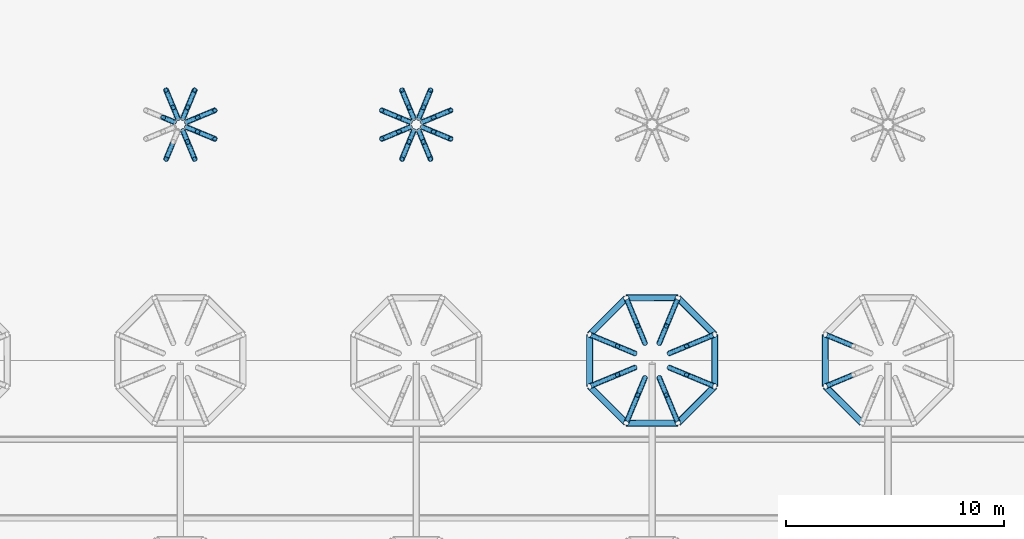
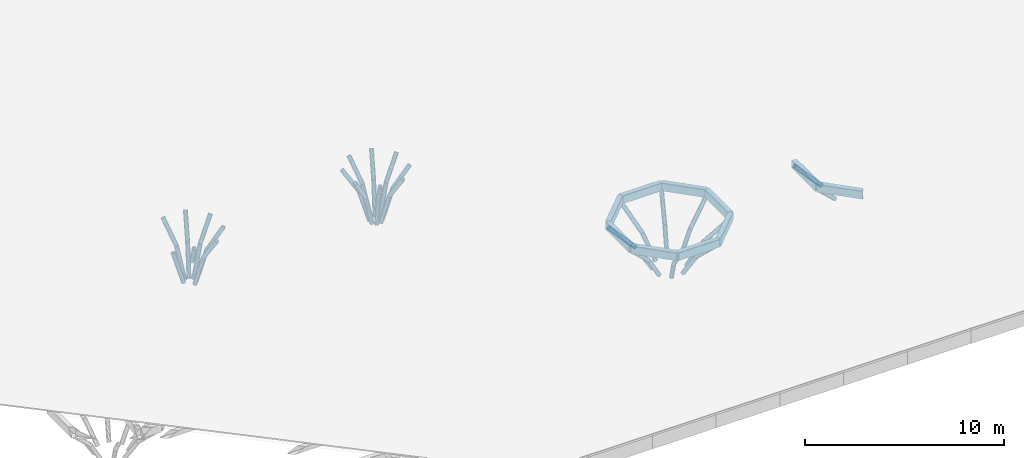
# One storey, part 10 of 56: 46 members, 10 beams.
"""IFC4 building model written with IfcOpenShell, lengths in metres."""

import ifcopenshell
import ifcopenshell.guid

model = None  # the IFC model being written
_history = None  # IfcOwnerHistory: only IFC2X3 demands one
_inside = {}  # id of a spatial element -> (the spatial element, [elements in it])
_under = {}  # id of a project, library or spatial element -> (it, [spatial elements below it])
_declared = {}  # id of a project -> (the project, [libraries it declares])
_typed = {}  # id of a type object -> (the type object, [elements of that type])
_made_of = {}  # id of a material, layer set ... -> (it, [elements and type objects made of it])


def new_model(schema):
    """Start an empty IFC model of exactly this schema.

    Asked for "IFC4X3", IfcOpenShell would pick the latest addendum, in which some entities
    have other attributes; the version numbers below select the first issue.
    IFC2X3 requires an IfcOwnerHistory on every rooted entity: one is made here for all.
    """
    global model, _history
    if schema == "IFC4X3":
        model = ifcopenshell.file(schema_version=(4, 3, 0, 0))
    else:
        model = ifcopenshell.file(schema=schema)
    _inside.clear()
    _under.clear()
    _declared.clear()
    _typed.clear()
    _made_of.clear()
    _history = None
    if model.schema == "IFC2X3":
        org = make("IfcOrganization", Name="unknown")
        user = make(
            "IfcPersonAndOrganization",
            ThePerson=make("IfcPerson", FamilyName="unknown"),
            TheOrganization=org,
        )
        app = make(
            "IfcApplication",
            ApplicationDeveloper=org,
            Version="unknown",
            ApplicationFullName="unknown",
            ApplicationIdentifier="unknown",
        )
        _history = make(
            "IfcOwnerHistory",
            OwningUser=user,
            OwningApplication=app,
            ChangeAction="ADDED",
            CreationDate=0,
        )
    return model


def make(cls, **values):
    """One entity of the class cls with the attributes given. An attribute that is None is left unset."""
    return model.create_entity(
        cls, **{name: value for name, value in values.items() if value is not None}
    )


def rooted(cls, **values):
    """An entity with a GlobalId (a new one), such as an element, a storey or a relation."""
    return make(cls, GlobalId=ifcopenshell.guid.new(), OwnerHistory=_history, **values)


def si_unit(unit_type, name, prefix=None):
    """IfcSIUnit, for example si_unit("LENGTHUNIT", "METRE", prefix="MILLI")."""
    return make("IfcSIUnit", UnitType=unit_type, Prefix=prefix, Name=name)


def assignment(units):
    """IfcUnitAssignment: the units of a project."""
    return None if units is None else make("IfcUnitAssignment", Units=units)


def point(xyz):
    """IfcCartesianPoint."""
    return None if xyz is None else make("IfcCartesianPoint", Coordinates=xyz)


def direction(xyz):
    """IfcDirection."""
    return None if xyz is None else make("IfcDirection", DirectionRatios=xyz)


def frame(location, z_axis=None, x_axis=None):
    """IfcAxis2Placement3D, a coordinate frame: its origin and axes. An axis left out is left unset."""
    return make(
        "IfcAxis2Placement3D",
        Location=point(location),
        Axis=direction(z_axis),
        RefDirection=direction(x_axis),
    )


def frame_2d(location, x_axis=None):
    """IfcAxis2Placement2D, a coordinate frame in the plane: its origin and x axis."""
    return make(
        "IfcAxis2Placement2D", Location=point(location), RefDirection=direction(x_axis)
    )


def origin():
    """The frame at (0, 0, 0) with its axes left unset."""
    return frame((0.0, 0.0, 0.0))


def origin_2d():
    """The frame at (0, 0) in the plane with its x axis left unset."""
    return frame_2d((0.0, 0.0))


def place(relative_to, where):
    """IfcLocalPlacement: puts the frame where relative to a parent placement (None: the world)."""
    return make(
        "IfcLocalPlacement", PlacementRelTo=relative_to, RelativePlacement=where
    )


def context(
    kind, dimensions, precision=None, world=None, true_north=None, identifier=None
):
    """IfcGeometricRepresentationContext, for example the 3D "Model" context."""
    return make(
        "IfcGeometricRepresentationContext",
        ContextIdentifier=identifier,
        ContextType=kind,
        CoordinateSpaceDimension=dimensions,
        Precision=precision,
        WorldCoordinateSystem=world,
        TrueNorth=true_north,
    )


def subcontext(parent, identifier, kind, view, scale=None):
    """IfcGeometricRepresentationSubContext, for example "Body" below "Model"."""
    return make(
        "IfcGeometricRepresentationSubContext",
        ContextIdentifier=identifier,
        ContextType=kind,
        ParentContext=parent,
        TargetScale=scale,
        TargetView=view,
    )


def project(units=None, contexts=None):
    """IfcProject with its units and contexts."""
    return rooted(
        "IfcProject",
        Name="project",
        RepresentationContexts=contexts,
        UnitsInContext=assignment(units),
    )


def spatial(cls, under=None, at=None, **own):
    """A site, building, storey or space (cls), placed at a placement, below another one or the project."""
    s = rooted(cls, ObjectPlacement=at, **own)
    if under is not None:
        _under.setdefault(under.id(), (under, []))[1].append(s)
    return s


def profile(cls, at=None, kind="AREA", **sizes):
    """A parametric profile (cls). Its sizes go by their IFC names, for example OverallWidth=200.0."""
    return make(cls, ProfileType=kind, Position=at, **sizes)


def hollow_rectangle(**sizes):
    """IfcRectangleHollowProfileDef."""
    return profile("IfcRectangleHollowProfileDef", **sizes)


def hollow_circle(**sizes):
    """IfcCircleHollowProfileDef."""
    return profile("IfcCircleHollowProfileDef", **sizes)


def extrude(swept, where, along, depth):
    """IfcExtrudedAreaSolid: the profile swept, set in the frame where, extruded along a direction by depth."""
    return make(
        "IfcExtrudedAreaSolid",
        SweptArea=swept,
        Position=where,
        ExtrudedDirection=direction(along),
        Depth=depth,
    )


def clip(a, b, op="DIFFERENCE"):
    """IfcBooleanClippingResult: the solid a cut by the half space b."""
    return make(
        "IfcBooleanClippingResult", Operator=op, FirstOperand=a, SecondOperand=b
    )


def halfspace(plane, agree):
    """IfcHalfSpaceSolid: all space on one side of the plane z = 0 of the frame plane."""
    return make(
        "IfcHalfSpaceSolid",
        BaseSurface=make("IfcPlane", Position=plane),
        AgreementFlag=agree,
    )


def shape(context_of_items, identifier, shape_type, items):
    """IfcShapeRepresentation: the items that make up one representation, for example the "Body"."""
    return make(
        "IfcShapeRepresentation",
        ContextOfItems=context_of_items,
        RepresentationIdentifier=identifier,
        RepresentationType=shape_type,
        Items=items,
    )


def material(Name=None, Category=None):
    """IfcMaterial."""
    return make("IfcMaterial", Name=Name, Category=Category)


def material_profile(
    of_material, cross_section, Name=None, Category=None, Priority=None
):
    """IfcMaterialProfile: a cross section and its material."""
    return make(
        "IfcMaterialProfile",
        Name=Name,
        Material=of_material,
        Profile=cross_section,
        Priority=Priority,
        Category=Category,
    )


def profile_set(profiles, Name=None, composite=None):
    """IfcMaterialProfileSet."""
    return make(
        "IfcMaterialProfileSet",
        Name=Name,
        MaterialProfiles=profiles,
        CompositeProfile=composite,
    )


def made_of(thing, what):
    """Note that an element or type object is made of a material, layer set ...; save() writes the relation."""
    if what is not None:
        _made_of.setdefault(what.id(), (what, []))[1].append(thing)
    return thing


def type_object(cls, material=None, **own):
    """A type object (cls), such as IfcWallType, which elements share."""
    return made_of(rooted(cls, **own), material)


def element(
    cls,
    number,
    at=None,
    inside=None,
    cuts=None,
    type_object=None,
    material=None,
    context=None,
    identifier="Body",
    shape_type=None,
    held_by="IfcProductDefinitionShape",
    body=None,
    shapes=None,
    **own,
):
    """One element of the class cls, such as IfcWall. Its Tag is "e" and its number.

    at: its placement. inside: the storey or other place that contains it. cuts: it is an
    opening in that element (IfcRelVoidsElement). A single representation is given by context,
    identifier, shape_type and body (its items); several are given by shapes. held_by: the class
    of the entity that holds the representations. save() writes the other relations.
    """
    e = rooted(cls, Tag="e%d" % number, ObjectPlacement=at, **own)
    if body is not None:
        shapes = [shape(context, identifier, shape_type, body)]
    if shapes is not None:
        e.Representation = make(held_by, Representations=shapes)
    if inside is not None:
        _inside.setdefault(inside.id(), (inside, []))[1].append(e)
    if cuts is not None:
        rooted(
            "IfcRelVoidsElement", RelatingBuildingElement=cuts, RelatedOpeningElement=e
        )
    if type_object is not None:
        _typed.setdefault(type_object.id(), (type_object, []))[1].append(e)
    return made_of(e, material)


def aggregate(whole, parts):
    """IfcRelAggregates: a whole, such as a stair, and the parts it consists of."""
    return rooted("IfcRelAggregates", RelatingObject=whole, RelatedObjects=parts)


def save(model, path):
    """Write the relations noted so far, then the file.

    IfcRelAggregates (storeys below a building ...), IfcRelContainedInSpatialStructure (elements
    in a storey), IfcRelDefinesByType, IfcRelAssociatesMaterial and IfcRelDeclares: one each for
    every whole, place, type object, material and project.
    """
    for whole, parts in _under.values():
        aggregate(whole, parts)
    for where, things in _inside.values():
        rooted(
            "IfcRelContainedInSpatialStructure",
            RelatedElements=things,
            RelatingStructure=where,
        )
    for kind, things in _typed.values():
        rooted("IfcRelDefinesByType", RelatedObjects=things, RelatingType=kind)
    for what, things in _made_of.values():
        rooted("IfcRelAssociatesMaterial", RelatedObjects=things, RelatingMaterial=what)
    for by, libraries in _declared.values():
        rooted("IfcRelDeclares", RelatingContext=by, RelatedDefinitions=libraries)
    model.write(path)


model = new_model("IFC4")

# Units and contexts
model_context = context("Model", 3, precision=1e-05, world=origin(), true_north=direction((0.0, 1.0)))
body_context = subcontext(model_context, "Body", "Model", "MODEL_VIEW")
ifc_project = project(units=[si_unit("LENGTHUNIT", "METRE"), si_unit("AREAUNIT", "SQUARE_METRE"), si_unit("VOLUMEUNIT", "CUBIC_METRE"), si_unit("PLANEANGLEUNIT", "RADIAN"), si_unit("MASSUNIT", "GRAM", prefix="KILO")], contexts=[model_context])

# Site, building, storey
site_placement = place(None, origin())
site = spatial("IfcSite", under=ifc_project, at=site_placement, CompositionType="ELEMENT")
building_placement = place(site_placement, origin())
building = spatial("IfcBuilding", under=site, at=building_placement, Name="Magnolia Steps Interchange", CompositionType="ELEMENT")
storey_placement = place(building_placement, frame((0.0, 0.0, 8.699951171875)))
storey = spatial("IfcBuildingStorey", under=building, at=storey_placement, Name="L02", CompositionType="ELEMENT", Elevation=8.699951171875)

# Beams
ifc_material_1 = material(Name="Steel Q355B", Category="steel")
ifc_material_profile_1 = material_profile(ifc_material_1, hollow_rectangle(XDim=0.300048828125, YDim=0.5, WallThickness=0.01611328125, InnerFilletRadius=0.01611328125, OuterFilletRadius=0.031982421875, at=origin_2d()), Name="RHS500x300x16")
ifc_profile_set_1 = profile_set([ifc_material_profile_1], Name="Steel Q355B")
beam_type = type_object("IfcBeamType", Name="Ring beam RHS500x300x16", PredefinedType="BEAM", material=ifc_profile_set_1)
beam_1_placement = place(storey_placement, frame((99.263916015625, 54.38623046875, 3.424560546875), z_axis=(-0.707106781187, 0.707106781187, 0.0), x_axis=(-0.707106781187, -0.707106781187, 0.0)))
element("IfcBeam", 1, at=beam_1_placement, inside=storey, type_object=beam_type, Name="Ring beam TH05B", PredefinedType="BEAM", context=body_context, shape_type="Clipping", body=[
    clip(clip(extrude(hollow_rectangle(XDim=0.300048828125, YDim=0.5, WallThickness=0.01611328125, InnerFilletRadius=0.01611328125, OuterFilletRadius=0.031982421875, at=origin_2d()), origin(), (0.0, 0.0, 1.0), 2.37255859375), halfspace(frame((0.0, 0.0, 0.0), z_axis=(0.382683433, 0.0, -0.923879532), x_axis=(0.923879532, 0.0, 0.382683433)), False)), halfspace(frame((0.0, 0.0, 2.372674707), z_axis=(0.382683433, 0.0, 0.923879532), x_axis=(0.923879532, 0.0, -0.382683433)), False)),
])
beam_2_placement = place(storey_placement, frame((97.586181640625, 56.06396484375, 3.424560546875), z_axis=(-1.0, 0.0, 0.0), x_axis=(0.0, -1.0, 0.0)))
element("IfcBeam", 2, at=beam_2_placement, inside=storey, type_object=beam_type, Name="Ring beam TH05B", PredefinedType="BEAM", context=body_context, shape_type="Clipping", body=[
    clip(clip(extrude(hollow_rectangle(XDim=0.300048828125, YDim=0.5, WallThickness=0.01611328125, InnerFilletRadius=0.01611328125, OuterFilletRadius=0.031982421875, at=origin_2d()), origin(), (0.0, 0.0, 1.0), 2.37255859375), halfspace(frame((0.0, 0.0, 0.0), z_axis=(0.382683432, 0.0, -0.923879533), x_axis=(0.923879533, 0.0, 0.382683432)), False)), halfspace(frame((0.0, 0.0, 2.372558594), z_axis=(0.382683432, 0.0, 0.923879533), x_axis=(0.923879533, 0.0, -0.382683432)), False)),
])
beam_3_placement = place(storey_placement, frame((95.213623046875, 56.06396484375, 3.424560546875), z_axis=(-0.707106781187, -0.707106781187, 0.0), x_axis=(0.707106781187, -0.707106781187, 0.0)))
element("IfcBeam", 3, at=beam_3_placement, inside=storey, type_object=beam_type, Name="Ring beam TH05B", PredefinedType="BEAM", context=body_context, shape_type="Clipping", body=[
    clip(clip(extrude(hollow_rectangle(XDim=0.300048828125, YDim=0.5, WallThickness=0.01611328125, InnerFilletRadius=0.01611328125, OuterFilletRadius=0.031982421875, at=origin_2d()), origin(), (0.0, 0.0, 1.0), 2.37255859375), halfspace(frame((0.0, 0.0, 0.0), z_axis=(0.382683433, 0.0, -0.923879532), x_axis=(0.923879532, 0.0, 0.382683433)), False)), halfspace(frame((0.0, 0.0, 2.372674707), z_axis=(0.382683433, 0.0, 0.923879532), x_axis=(0.923879532, 0.0, -0.382683433)), False)),
])
beam_4_placement = place(storey_placement, frame((93.535888671875, 54.38623046875, 3.424560546875), z_axis=(0.0, -1.0, 0.0), x_axis=(1.0, 0.0, 0.0)))
element("IfcBeam", 4, at=beam_4_placement, inside=storey, type_object=beam_type, Name="Ring beam TH05B", PredefinedType="BEAM", context=body_context, shape_type="Clipping", body=[
    clip(clip(extrude(hollow_rectangle(XDim=0.300048828125, YDim=0.5, WallThickness=0.01611328125, InnerFilletRadius=0.01611328125, OuterFilletRadius=0.031982421875, at=origin_2d()), origin(), (0.0, 0.0, 1.0), 2.37255859375), halfspace(frame((0.0, 0.0, 0.0), z_axis=(0.382683432, 0.0, -0.923879533), x_axis=(0.923879533, 0.0, 0.382683432)), False)), halfspace(frame((0.0, 0.0, 2.372558594), z_axis=(0.382683432, 0.0, 0.923879533), x_axis=(0.923879533, 0.0, -0.382683432)), False)),
])
beam_5_placement = place(storey_placement, frame((93.535888671875, 52.013671875, 3.424560546875), z_axis=(0.707106781187, -0.707106781187, 0.0), x_axis=(0.707106781187, 0.707106781187, 0.0)))
element("IfcBeam", 5, at=beam_5_placement, inside=storey, type_object=beam_type, Name="Ring beam TH05B", PredefinedType="BEAM", context=body_context, shape_type="Clipping", body=[
    clip(clip(extrude(hollow_rectangle(XDim=0.300048828125, YDim=0.5, WallThickness=0.01611328125, InnerFilletRadius=0.01611328125, OuterFilletRadius=0.031982421875, at=origin_2d()), origin(), (0.0, 0.0, 1.0), 2.37255859375), halfspace(frame((0.0, 0.0, 0.0), z_axis=(0.382683433, 0.0, -0.923879532), x_axis=(0.923879532, 0.0, 0.382683433)), False)), halfspace(frame((0.0, 0.0, 2.372674707), z_axis=(0.382683433, 0.0, 0.923879532), x_axis=(0.923879532, 0.0, -0.382683433)), False)),
])
beam_6_placement = place(storey_placement, frame((95.213623046875, 50.3359375, 3.424560546875), z_axis=(1.0, 0.0, 0.0), x_axis=(0.0, 1.0, 0.0)))
element("IfcBeam", 6, at=beam_6_placement, inside=storey, type_object=beam_type, Name="Ring beam TH05B", PredefinedType="BEAM", context=body_context, shape_type="Clipping", body=[
    clip(clip(extrude(hollow_rectangle(XDim=0.300048828125, YDim=0.5, WallThickness=0.01611328125, InnerFilletRadius=0.01611328125, OuterFilletRadius=0.031982421875, at=origin_2d()), origin(), (0.0, 0.0, 1.0), 2.37255859375), halfspace(frame((0.0, 0.0, 0.0), z_axis=(0.382683432, 0.0, -0.923879533), x_axis=(0.923879533, 0.0, 0.382683432)), False)), halfspace(frame((0.0, 0.0, 2.372558594), z_axis=(0.382683432, 0.0, 0.923879533), x_axis=(0.923879533, 0.0, -0.382683432)), False)),
])
beam_7_placement = place(storey_placement, frame((97.586181640625, 50.3359375, 3.424560546875), z_axis=(0.707106781187, 0.707106781187, 0.0), x_axis=(-0.707106781187, 0.707106781187, 0.0)))
element("IfcBeam", 7, at=beam_7_placement, inside=storey, type_object=beam_type, Name="Ring beam TH05B", PredefinedType="BEAM", context=body_context, shape_type="Clipping", body=[
    clip(clip(extrude(hollow_rectangle(XDim=0.300048828125, YDim=0.5, WallThickness=0.01611328125, InnerFilletRadius=0.01611328125, OuterFilletRadius=0.031982421875, at=origin_2d()), origin(), (0.0, 0.0, 1.0), 2.37255859375), halfspace(frame((0.0, 0.0, 0.0), z_axis=(0.382683433, 0.0, -0.923879532), x_axis=(0.923879532, 0.0, 0.382683433)), False)), halfspace(frame((0.0, 0.0, 2.372674707), z_axis=(0.382683433, 0.0, 0.923879532), x_axis=(0.923879532, 0.0, -0.382683433)), False)),
])
for number, where, z_axis, x_axis, name in (
    (8, (99.263916015625, 52.013671875, 3.424560546875), (0.0, 1.0, 0.0), (-1.0, 0.0, 0.0), "Ring beam TH05B"),
    (9, (104.3359375, 54.38623046875, 3.424560546875), (0.0, -1.0, 0.0), (1.0, 0.0, 0.0), "Ring beam TH06B"),
):
    element("IfcBeam", number, at=place(storey_placement, frame(where, z_axis=z_axis, x_axis=x_axis)), inside=storey, type_object=beam_type, Name=name, PredefinedType="BEAM", context=body_context, shape_type="Clipping", body=[
        clip(clip(extrude(hollow_rectangle(XDim=0.300048828125, YDim=0.5, WallThickness=0.01611328125, InnerFilletRadius=0.01611328125, OuterFilletRadius=0.031982421875, at=origin_2d()), origin(), (0.0, 0.0, 1.0), 2.37255859375), halfspace(frame((0.0, 0.0, 0.0), z_axis=(0.382683432, 0.0, -0.923879533), x_axis=(0.923879533, 0.0, 0.382683432)), False)), halfspace(frame((0.0, 0.0, 2.372558594), z_axis=(0.382683432, 0.0, 0.923879533), x_axis=(0.923879533, 0.0, -0.382683432)), False)),
    ])
beam_8_placement = place(storey_placement, frame((104.3359375, 52.013671875, 3.424560546875), z_axis=(0.707106781187, -0.707106781187, 0.0), x_axis=(0.707106781187, 0.707106781187, 0.0)))
element("IfcBeam", 10, at=beam_8_placement, inside=storey, type_object=beam_type, Name="Ring beam TH06B", PredefinedType="BEAM", context=body_context, shape_type="Clipping", body=[
    clip(clip(extrude(hollow_rectangle(XDim=0.300048828125, YDim=0.5, WallThickness=0.01611328125, InnerFilletRadius=0.01611328125, OuterFilletRadius=0.031982421875, at=origin_2d()), origin(), (0.0, 0.0, 1.0), 2.37255859375), halfspace(frame((0.0, 0.0, 0.0), z_axis=(0.382683433, 0.0, -0.923879532), x_axis=(0.923879532, 0.0, 0.382683433)), False)), halfspace(frame((0.0, 0.0, 2.372674707), z_axis=(0.382683433, 0.0, 0.923879532), x_axis=(0.923879532, 0.0, -0.382683433)), False)),
])

# Members
ifc_material_2 = material(Name="Steel Q355B", Category="steel")
ifc_material_profile_2 = material_profile(ifc_material_2, hollow_circle(Radius=0.12255859375, WallThickness=0.011962890625, at=origin_2d()), Name="CHS245x12")
ifc_profile_set_2 = profile_set([ifc_material_profile_2], Name="Steel Q355B")
member_type = type_object("IfcMemberType", Name="Tree rib CHS245x12", PredefinedType="USERDEFINED", material=ifc_profile_set_2)
member_1_placement = place(storey_placement, frame((75.09521484375, 64.122314453125, 0.670166015625), z_axis=(0.254676188738, 0.105465608268, 0.961258052951), x_axis=(-0.382606875641, 0.923911239629, 0.0)))
element("IfcMember", 11, at=member_1_placement, inside=storey, type_object=member_type, Name="Tree rib TH03C", ObjectType="TREE RIB", PredefinedType="USERDEFINED", context=body_context, shape_type="SweptSolid", body=[
    extrude(hollow_circle(Radius=0.12255859375, WallThickness=0.011962890625, at=origin_2d()), origin(), (0.0, 0.0, 1.0), 1.942138671875),
])
member_2_placement = place(storey_placement, frame((75.58984375, 64.3271484375, 2.537109375), z_axis=(0.489571014481, 0.202820124805, 0.848047297475), x_axis=(-0.382736860682, 0.923857399968, 0.0)))
element("IfcMember", 12, at=member_2_placement, inside=storey, type_object=member_type, Name="Tree rib TH03C", ObjectType="TREE RIB", PredefinedType="USERDEFINED", context=body_context, shape_type="SweptSolid", body=[
    extrude(hollow_circle(Radius=0.12255859375, WallThickness=0.011962890625, at=origin_2d()), origin(), (0.0, 0.0, 1.0), 1.6201171875),
])
member_3_placement = place(storey_placement, frame((74.92236328125, 64.295166015625, 0.670166015625), z_axis=(0.105465608268, 0.254676188738, 0.961258052951), x_axis=(-0.923911239629, 0.382606875641, 0.0)))
element("IfcMember", 13, at=member_3_placement, inside=storey, type_object=member_type, Name="Tree rib TH03C", ObjectType="TREE RIB", PredefinedType="USERDEFINED", context=body_context, shape_type="SweptSolid", body=[
    extrude(hollow_circle(Radius=0.12255859375, WallThickness=0.011962890625, at=origin_2d()), origin(), (0.0, 0.0, 1.0), 1.942138671875),
])
member_4_placement = place(storey_placement, frame((75.127197265625, 64.789794921875, 2.537109375), z_axis=(0.202820124805, 0.489571014481, 0.848047297475), x_axis=(-0.923857399968, 0.382736860682, 0.0)))
element("IfcMember", 14, at=member_4_placement, inside=storey, type_object=member_type, Name="Tree rib TH03C", ObjectType="TREE RIB", PredefinedType="USERDEFINED", context=body_context, shape_type="SweptSolid", body=[
    extrude(hollow_circle(Radius=0.12255859375, WallThickness=0.011962890625, at=origin_2d()), origin(), (0.0, 0.0, 1.0), 1.6201171875),
])
member_5_placement = place(storey_placement, frame((74.677734375, 64.295166015625, 0.670166015625), z_axis=(-0.105465608268, 0.254676188738, 0.961258052951), x_axis=(-0.923911239629, -0.382606875641, 0.0)))
element("IfcMember", 15, at=member_5_placement, inside=storey, type_object=member_type, Name="Tree rib TH03C", ObjectType="TREE RIB", PredefinedType="USERDEFINED", context=body_context, shape_type="SweptSolid", body=[
    extrude(hollow_circle(Radius=0.12255859375, WallThickness=0.011962890625, at=origin_2d()), origin(), (0.0, 0.0, 1.0), 1.942138671875),
])
member_6_placement = place(storey_placement, frame((74.472900390625, 64.789794921875, 2.537109375), z_axis=(-0.202820124805, 0.489571014481, 0.848047297475), x_axis=(-0.923857399968, -0.382736860682, 0.0)))
element("IfcMember", 16, at=member_6_placement, inside=storey, type_object=member_type, Name="Tree rib TH03C", ObjectType="TREE RIB", PredefinedType="USERDEFINED", context=body_context, shape_type="SweptSolid", body=[
    extrude(hollow_circle(Radius=0.12255859375, WallThickness=0.011962890625, at=origin_2d()), origin(), (0.0, 0.0, 1.0), 1.6201171875),
])
member_7_placement = place(storey_placement, frame((74.5048828125, 64.122314453125, 0.670166015625), z_axis=(-0.254676188738, 0.105465608268, 0.961258052951), x_axis=(-0.382606875641, -0.923911239629, 0.0)))
element("IfcMember", 17, at=member_7_placement, inside=storey, type_object=member_type, Name="Tree rib TH03C", ObjectType="TREE RIB", PredefinedType="USERDEFINED", context=body_context, shape_type="SweptSolid", body=[
    extrude(hollow_circle(Radius=0.12255859375, WallThickness=0.011962890625, at=origin_2d()), origin(), (0.0, 0.0, 1.0), 1.942138671875),
])
member_8_placement = place(storey_placement, frame((74.472900390625, 63.210205078125, 2.537109375), z_axis=(-0.202820124805, -0.489571014481, 0.848047297475), x_axis=(0.923857399968, -0.382736860682, 0.0)))
element("IfcMember", 18, at=member_8_placement, inside=storey, type_object=member_type, Name="Tree rib TH03C", ObjectType="TREE RIB", PredefinedType="USERDEFINED", context=body_context, shape_type="SweptSolid", body=[
    extrude(hollow_circle(Radius=0.12255859375, WallThickness=0.011962890625, at=origin_2d()), origin(), (0.0, 0.0, 1.0), 1.6201171875),
])
member_9_placement = place(storey_placement, frame((74.92236328125, 63.704833984375, 0.670166015625), z_axis=(0.105465608268, -0.254676188738, 0.961258052951), x_axis=(0.923911239629, 0.382606875641, 0.0)))
element("IfcMember", 19, at=member_9_placement, inside=storey, type_object=member_type, Name="Tree rib TH03C", ObjectType="TREE RIB", PredefinedType="USERDEFINED", context=body_context, shape_type="SweptSolid", body=[
    extrude(hollow_circle(Radius=0.12255859375, WallThickness=0.011962890625, at=origin_2d()), origin(), (0.0, 0.0, 1.0), 1.942138671875),
])
member_10_placement = place(storey_placement, frame((75.127197265625, 63.210205078125, 2.537109375), z_axis=(0.202820124805, -0.489571014481, 0.848047297475), x_axis=(0.923857399968, 0.382736860682, 0.0)))
element("IfcMember", 20, at=member_10_placement, inside=storey, type_object=member_type, Name="Tree rib TH03C", ObjectType="TREE RIB", PredefinedType="USERDEFINED", context=body_context, shape_type="SweptSolid", body=[
    extrude(hollow_circle(Radius=0.12255859375, WallThickness=0.011962890625, at=origin_2d()), origin(), (0.0, 0.0, 1.0), 1.6201171875),
])
member_11_placement = place(storey_placement, frame((75.09521484375, 63.877685546875, 0.670166015625), z_axis=(0.254676188738, -0.105465608268, 0.961258052951), x_axis=(0.382606875641, 0.923911239629, 0.0)))
element("IfcMember", 21, at=member_11_placement, inside=storey, type_object=member_type, Name="Tree rib TH03C", ObjectType="TREE RIB", PredefinedType="USERDEFINED", context=body_context, shape_type="SweptSolid", body=[
    extrude(hollow_circle(Radius=0.12255859375, WallThickness=0.011962890625, at=origin_2d()), origin(), (0.0, 0.0, 1.0), 1.942138671875),
])
member_12_placement = place(storey_placement, frame((75.58984375, 63.6728515625, 2.537109375), z_axis=(0.489571014481, -0.202820124805, 0.848047297475), x_axis=(0.382736860682, 0.923857399968, 0.0)))
element("IfcMember", 22, at=member_12_placement, inside=storey, type_object=member_type, Name="Tree rib TH03C", ObjectType="TREE RIB", PredefinedType="USERDEFINED", context=body_context, shape_type="SweptSolid", body=[
    extrude(hollow_circle(Radius=0.12255859375, WallThickness=0.011962890625, at=origin_2d()), origin(), (0.0, 0.0, 1.0), 1.6201171875),
])
member_13_placement = place(storey_placement, frame((85.895263671875, 64.122314453125, 0.670166015625), z_axis=(0.254676188738, 0.105465608268, 0.961258052951), x_axis=(-0.382606875641, 0.923911239629, 0.0)))
element("IfcMember", 23, at=member_13_placement, inside=storey, type_object=member_type, Name="Tree rib TH04C", ObjectType="TREE RIB", PredefinedType="USERDEFINED", context=body_context, shape_type="SweptSolid", body=[
    extrude(hollow_circle(Radius=0.12255859375, WallThickness=0.011962890625, at=origin_2d()), origin(), (0.0, 0.0, 1.0), 1.942138671875),
])
member_14_placement = place(storey_placement, frame((86.389892578125, 64.3271484375, 2.537109375), z_axis=(0.489571014481, 0.202820124805, 0.848047297475), x_axis=(-0.382736860682, 0.923857399968, 0.0)))
element("IfcMember", 24, at=member_14_placement, inside=storey, type_object=member_type, Name="Tree rib TH04C", ObjectType="TREE RIB", PredefinedType="USERDEFINED", context=body_context, shape_type="SweptSolid", body=[
    extrude(hollow_circle(Radius=0.12255859375, WallThickness=0.011962890625, at=origin_2d()), origin(), (0.0, 0.0, 1.0), 1.6201171875),
])
member_15_placement = place(storey_placement, frame((85.722412109375, 64.295166015625, 0.670166015625), z_axis=(0.105341300058, 0.254679563148, 0.961270789433), x_axis=(-0.924072388976, 0.382217503436, 0.0)))
element("IfcMember", 25, at=member_15_placement, inside=storey, type_object=member_type, Name="Tree rib TH04C", ObjectType="TREE RIB", PredefinedType="USERDEFINED", context=body_context, shape_type="SweptSolid", body=[
    extrude(hollow_circle(Radius=0.12255859375, WallThickness=0.011962890625, at=origin_2d()), origin(), (0.0, 0.0, 1.0), 1.942138671875),
])
member_16_placement = place(storey_placement, frame((85.927001953125, 64.789794921875, 2.537109375), z_axis=(0.202820124805, 0.489571014481, 0.848047297475), x_axis=(-0.923857399968, 0.382736860682, 0.0)))
element("IfcMember", 26, at=member_16_placement, inside=storey, type_object=member_type, Name="Tree rib TH04C", ObjectType="TREE RIB", PredefinedType="USERDEFINED", context=body_context, shape_type="SweptSolid", body=[
    extrude(hollow_circle(Radius=0.12255859375, WallThickness=0.011962890625, at=origin_2d()), origin(), (0.0, 0.0, 1.0), 1.6201171875),
])
member_17_placement = place(storey_placement, frame((85.477783203125, 64.295166015625, 0.670166015625), z_axis=(-0.105465608268, 0.254676188738, 0.961258052951), x_axis=(-0.923911239629, -0.382606875641, 0.0)))
element("IfcMember", 27, at=member_17_placement, inside=storey, type_object=member_type, Name="Tree rib TH04C", ObjectType="TREE RIB", PredefinedType="USERDEFINED", context=body_context, shape_type="SweptSolid", body=[
    extrude(hollow_circle(Radius=0.12255859375, WallThickness=0.011962890625, at=origin_2d()), origin(), (0.0, 0.0, 1.0), 1.942138671875),
])
member_18_placement = place(storey_placement, frame((85.27294921875, 64.789794921875, 2.537109375), z_axis=(-0.202820124805, 0.489571014481, 0.848047297475), x_axis=(-0.923857399968, -0.382736860682, 0.0)))
element("IfcMember", 28, at=member_18_placement, inside=storey, type_object=member_type, Name="Tree rib TH04C", ObjectType="TREE RIB", PredefinedType="USERDEFINED", context=body_context, shape_type="SweptSolid", body=[
    extrude(hollow_circle(Radius=0.12255859375, WallThickness=0.011962890625, at=origin_2d()), origin(), (0.0, 0.0, 1.0), 1.6201171875),
])
member_19_placement = place(storey_placement, frame((85.3046875, 64.122314453125, 0.670166015625), z_axis=(-0.254558632303, 0.105468983952, 0.961288820357), x_axis=(-0.382768141022, -0.923844440487, 0.0)))
element("IfcMember", 29, at=member_19_placement, inside=storey, type_object=member_type, Name="Tree rib TH04C", ObjectType="TREE RIB", PredefinedType="USERDEFINED", context=body_context, shape_type="SweptSolid", body=[
    extrude(hollow_circle(Radius=0.12255859375, WallThickness=0.011962890625, at=origin_2d()), origin(), (0.0, 0.0, 1.0), 1.942138671875),
])
member_20_placement = place(storey_placement, frame((84.810302734375, 64.3271484375, 2.537109375), z_axis=(-0.489571014481, 0.202820124805, 0.848047297475), x_axis=(-0.382736860682, -0.923857399968, 0.0)))
element("IfcMember", 30, at=member_20_placement, inside=storey, type_object=member_type, Name="Tree rib TH04C", ObjectType="TREE RIB", PredefinedType="USERDEFINED", context=body_context, shape_type="SweptSolid", body=[
    extrude(hollow_circle(Radius=0.12255859375, WallThickness=0.011962890625, at=origin_2d()), origin(), (0.0, 0.0, 1.0), 1.6201171875),
])
member_21_placement = place(storey_placement, frame((85.3046875, 63.877685546875, 0.670166015625), z_axis=(-0.254558632303, -0.105468983952, 0.961288820357), x_axis=(0.382768141022, -0.923844440487, 0.0)))
element("IfcMember", 31, at=member_21_placement, inside=storey, type_object=member_type, Name="Tree rib TH04C", ObjectType="TREE RIB", PredefinedType="USERDEFINED", context=body_context, shape_type="SweptSolid", body=[
    extrude(hollow_circle(Radius=0.12255859375, WallThickness=0.011962890625, at=origin_2d()), origin(), (0.0, 0.0, 1.0), 1.942138671875),
])
member_22_placement = place(storey_placement, frame((84.810302734375, 63.6728515625, 2.537109375), z_axis=(-0.489571014481, -0.202820124805, 0.848047297475), x_axis=(0.382736860682, -0.923857399968, 0.0)))
element("IfcMember", 32, at=member_22_placement, inside=storey, type_object=member_type, Name="Tree rib TH04C", ObjectType="TREE RIB", PredefinedType="USERDEFINED", context=body_context, shape_type="SweptSolid", body=[
    extrude(hollow_circle(Radius=0.12255859375, WallThickness=0.011962890625, at=origin_2d()), origin(), (0.0, 0.0, 1.0), 1.6201171875),
])
member_23_placement = place(storey_placement, frame((85.477783203125, 63.704833984375, 0.670166015625), z_axis=(-0.105465608268, -0.254676188738, 0.961258052951), x_axis=(0.923911239629, -0.382606875641, 0.0)))
element("IfcMember", 33, at=member_23_placement, inside=storey, type_object=member_type, Name="Tree rib TH04C", ObjectType="TREE RIB", PredefinedType="USERDEFINED", context=body_context, shape_type="SweptSolid", body=[
    extrude(hollow_circle(Radius=0.12255859375, WallThickness=0.011962890625, at=origin_2d()), origin(), (0.0, 0.0, 1.0), 1.942138671875),
])
member_24_placement = place(storey_placement, frame((85.27294921875, 63.210205078125, 2.537109375), z_axis=(-0.202820124805, -0.489571014481, 0.848047297475), x_axis=(0.923857399968, -0.382736860682, 0.0)))
element("IfcMember", 34, at=member_24_placement, inside=storey, type_object=member_type, Name="Tree rib TH04C", ObjectType="TREE RIB", PredefinedType="USERDEFINED", context=body_context, shape_type="SweptSolid", body=[
    extrude(hollow_circle(Radius=0.12255859375, WallThickness=0.011962890625, at=origin_2d()), origin(), (0.0, 0.0, 1.0), 1.6201171875),
])
member_25_placement = place(storey_placement, frame((85.722412109375, 63.704833984375, 0.670166015625), z_axis=(0.105341300058, -0.254679563148, 0.961270789433), x_axis=(0.924072388976, 0.382217503436, 0.0)))
element("IfcMember", 35, at=member_25_placement, inside=storey, type_object=member_type, Name="Tree rib TH04C", ObjectType="TREE RIB", PredefinedType="USERDEFINED", context=body_context, shape_type="SweptSolid", body=[
    extrude(hollow_circle(Radius=0.12255859375, WallThickness=0.011962890625, at=origin_2d()), origin(), (0.0, 0.0, 1.0), 1.942138671875),
])
member_26_placement = place(storey_placement, frame((85.927001953125, 63.210205078125, 2.537109375), z_axis=(0.202820124805, -0.489571014481, 0.848047297475), x_axis=(0.923857399968, 0.382736860682, 0.0)))
element("IfcMember", 36, at=member_26_placement, inside=storey, type_object=member_type, Name="Tree rib TH04C", ObjectType="TREE RIB", PredefinedType="USERDEFINED", context=body_context, shape_type="SweptSolid", body=[
    extrude(hollow_circle(Radius=0.12255859375, WallThickness=0.011962890625, at=origin_2d()), origin(), (0.0, 0.0, 1.0), 1.6201171875),
])
member_27_placement = place(storey_placement, frame((85.895263671875, 63.877685546875, 0.670166015625), z_axis=(0.254676188738, -0.105465608268, 0.961258052951), x_axis=(0.382606875641, 0.923911239629, 0.0)))
element("IfcMember", 37, at=member_27_placement, inside=storey, type_object=member_type, Name="Tree rib TH04C", ObjectType="TREE RIB", PredefinedType="USERDEFINED", context=body_context, shape_type="SweptSolid", body=[
    extrude(hollow_circle(Radius=0.12255859375, WallThickness=0.011962890625, at=origin_2d()), origin(), (0.0, 0.0, 1.0), 1.942138671875),
])
for number, where, z_axis, x_axis, name in (
    (38, (86.389892578125, 63.6728515625, 2.537109375), (0.489571014481, -0.202820124805, 0.848047297475), (0.382736860682, 0.923857399968, 0.0), "Tree rib TH04C"),
    (39, (97.189697265625, 53.527099609375, 0.5615234375), (0.489571014481, 0.202820124805, 0.848047297475), (-0.382736860682, 0.923857399968, 0.0), "Tree rib TH05B"),
):
    element("IfcMember", number, at=place(storey_placement, frame(where, z_axis=z_axis, x_axis=x_axis)), inside=storey, type_object=member_type, Name=name, ObjectType="TREE RIB", PredefinedType="USERDEFINED", context=body_context, shape_type="SweptSolid", body=[
        extrude(hollow_circle(Radius=0.12255859375, WallThickness=0.011962890625, at=origin_2d()), origin(), (0.0, 0.0, 1.0), 1.6201171875),
    ])
member_28_placement = place(storey_placement, frame((97.98291015625, 53.855712890625, 1.935546875), z_axis=(0.664618271493, 0.27524595082, 0.694638193418), x_axis=(-0.382626535499, 0.923903097912, 0.0)))
element("IfcMember", 40, at=member_28_placement, inside=storey, type_object=member_type, Name="Tree rib TH05B", ObjectType="TREE RIB", PredefinedType="USERDEFINED", context=body_context, shape_type="SweptSolid", body=[
    extrude(hollow_circle(Radius=0.12255859375, WallThickness=0.011962890625, at=origin_2d()), origin(), (0.0, 0.0, 1.0), 1.927490234375),
])
member_29_placement = place(storey_placement, frame((96.72705078125, 53.98974609375, 0.5615234375), z_axis=(0.202820124805, 0.489571014481, 0.848047297475), x_axis=(-0.923857399968, 0.382736860682, 0.0)))
element("IfcMember", 41, at=member_29_placement, inside=storey, type_object=member_type, Name="Tree rib TH05B", ObjectType="TREE RIB", PredefinedType="USERDEFINED", context=body_context, shape_type="SweptSolid", body=[
    extrude(hollow_circle(Radius=0.12255859375, WallThickness=0.011962890625, at=origin_2d()), origin(), (0.0, 0.0, 1.0), 1.6201171875),
])
member_30_placement = place(storey_placement, frame((97.0556640625, 54.782958984375, 1.935546875), z_axis=(0.27524595082, 0.664618271493, 0.694638193418), x_axis=(-0.923903097912, 0.382626535499, 0.0)))
element("IfcMember", 42, at=member_30_placement, inside=storey, type_object=member_type, Name="Tree rib TH05B", ObjectType="TREE RIB", PredefinedType="USERDEFINED", context=body_context, shape_type="SweptSolid", body=[
    extrude(hollow_circle(Radius=0.12255859375, WallThickness=0.011962890625, at=origin_2d()), origin(), (0.0, 0.0, 1.0), 1.927490234375),
])
member_31_placement = place(storey_placement, frame((96.072998046875, 53.98974609375, 0.5615234375), z_axis=(-0.202820124805, 0.489571014481, 0.848047297475), x_axis=(-0.923857399968, -0.382736860682, 0.0)))
element("IfcMember", 43, at=member_31_placement, inside=storey, type_object=member_type, Name="Tree rib TH05B", ObjectType="TREE RIB", PredefinedType="USERDEFINED", context=body_context, shape_type="SweptSolid", body=[
    extrude(hollow_circle(Radius=0.12255859375, WallThickness=0.011962890625, at=origin_2d()), origin(), (0.0, 0.0, 1.0), 1.6201171875),
])
member_32_placement = place(storey_placement, frame((95.744384765625, 54.782958984375, 1.935546875), z_axis=(-0.275363014751, 0.664595095858, 0.694613970971), x_axis=(-0.923840843106, -0.382776823501, 0.0)))
element("IfcMember", 44, at=member_32_placement, inside=storey, type_object=member_type, Name="Tree rib TH05B", ObjectType="TREE RIB", PredefinedType="USERDEFINED", context=body_context, shape_type="SweptSolid", body=[
    extrude(hollow_circle(Radius=0.12255859375, WallThickness=0.011962890625, at=origin_2d()), origin(), (0.0, 0.0, 1.0), 1.927490234375),
])
member_33_placement = place(storey_placement, frame((95.610107421875, 53.527099609375, 0.5615234375), z_axis=(-0.489571014481, 0.202820124805, 0.848047297475), x_axis=(-0.382736860682, -0.923857399968, 0.0)))
element("IfcMember", 45, at=member_33_placement, inside=storey, type_object=member_type, Name="Tree rib TH05B", ObjectType="TREE RIB", PredefinedType="USERDEFINED", context=body_context, shape_type="SweptSolid", body=[
    extrude(hollow_circle(Radius=0.12255859375, WallThickness=0.011962890625, at=origin_2d()), origin(), (0.0, 0.0, 1.0), 1.6201171875),
])
member_34_placement = place(storey_placement, frame((94.81689453125, 53.855712890625, 1.935546875), z_axis=(-0.664618271493, 0.27524595082, 0.694638193418), x_axis=(-0.382626535499, -0.923903097912, 0.0)))
element("IfcMember", 46, at=member_34_placement, inside=storey, type_object=member_type, Name="Tree rib TH05B", ObjectType="TREE RIB", PredefinedType="USERDEFINED", context=body_context, shape_type="SweptSolid", body=[
    extrude(hollow_circle(Radius=0.12255859375, WallThickness=0.011962890625, at=origin_2d()), origin(), (0.0, 0.0, 1.0), 1.927490234375),
])
member_35_placement = place(storey_placement, frame((95.610107421875, 52.872802734375, 0.5615234375), z_axis=(-0.489571014481, -0.202820124805, 0.848047297475), x_axis=(0.382736860682, -0.923857399968, 0.0)))
element("IfcMember", 47, at=member_35_placement, inside=storey, type_object=member_type, Name="Tree rib TH05B", ObjectType="TREE RIB", PredefinedType="USERDEFINED", context=body_context, shape_type="SweptSolid", body=[
    extrude(hollow_circle(Radius=0.12255859375, WallThickness=0.011962890625, at=origin_2d()), origin(), (0.0, 0.0, 1.0), 1.6201171875),
])
member_36_placement = place(storey_placement, frame((94.81689453125, 52.544189453125, 1.935546875), z_axis=(-0.664618271493, -0.27524595082, 0.694638193418), x_axis=(0.382626535499, -0.923903097912, 0.0)))
element("IfcMember", 48, at=member_36_placement, inside=storey, type_object=member_type, Name="Tree rib TH05B", ObjectType="TREE RIB", PredefinedType="USERDEFINED", context=body_context, shape_type="SweptSolid", body=[
    extrude(hollow_circle(Radius=0.12255859375, WallThickness=0.011962890625, at=origin_2d()), origin(), (0.0, 0.0, 1.0), 1.927490234375),
])
member_37_placement = place(storey_placement, frame((96.072998046875, 52.41015625, 0.5615234375), z_axis=(-0.202820124805, -0.489571014481, 0.848047297475), x_axis=(0.923857399968, -0.382736860682, 0.0)))
element("IfcMember", 49, at=member_37_placement, inside=storey, type_object=member_type, Name="Tree rib TH05B", ObjectType="TREE RIB", PredefinedType="USERDEFINED", context=body_context, shape_type="SweptSolid", body=[
    extrude(hollow_circle(Radius=0.12255859375, WallThickness=0.011962890625, at=origin_2d()), origin(), (0.0, 0.0, 1.0), 1.6201171875),
])
member_38_placement = place(storey_placement, frame((95.744384765625, 51.616943359375, 1.935546875), z_axis=(-0.275363014751, -0.664595095858, 0.694613970971), x_axis=(0.923840843106, -0.382776823501, 0.0)))
element("IfcMember", 50, at=member_38_placement, inside=storey, type_object=member_type, Name="Tree rib TH05B", ObjectType="TREE RIB", PredefinedType="USERDEFINED", context=body_context, shape_type="SweptSolid", body=[
    extrude(hollow_circle(Radius=0.12255859375, WallThickness=0.011962890625, at=origin_2d()), origin(), (0.0, 0.0, 1.0), 1.927490234375),
])
member_39_placement = place(storey_placement, frame((96.72705078125, 52.41015625, 0.5615234375), z_axis=(0.202820124805, -0.489571014481, 0.848047297475), x_axis=(0.923857399968, 0.382736860682, 0.0)))
element("IfcMember", 51, at=member_39_placement, inside=storey, type_object=member_type, Name="Tree rib TH05B", ObjectType="TREE RIB", PredefinedType="USERDEFINED", context=body_context, shape_type="SweptSolid", body=[
    extrude(hollow_circle(Radius=0.12255859375, WallThickness=0.011962890625, at=origin_2d()), origin(), (0.0, 0.0, 1.0), 1.6201171875),
])
member_40_placement = place(storey_placement, frame((97.0556640625, 51.616943359375, 1.935546875), z_axis=(0.27524595082, -0.664618271493, 0.694638193418), x_axis=(0.923903097912, 0.382626535499, 0.0)))
element("IfcMember", 52, at=member_40_placement, inside=storey, type_object=member_type, Name="Tree rib TH05B", ObjectType="TREE RIB", PredefinedType="USERDEFINED", context=body_context, shape_type="SweptSolid", body=[
    extrude(hollow_circle(Radius=0.12255859375, WallThickness=0.011962890625, at=origin_2d()), origin(), (0.0, 0.0, 1.0), 1.927490234375),
])
member_41_placement = place(storey_placement, frame((97.189697265625, 52.872802734375, 0.5615234375), z_axis=(0.489571014481, -0.202820124805, 0.848047297475), x_axis=(0.382736860682, 0.923857399968, 0.0)))
element("IfcMember", 53, at=member_41_placement, inside=storey, type_object=member_type, Name="Tree rib TH05B", ObjectType="TREE RIB", PredefinedType="USERDEFINED", context=body_context, shape_type="SweptSolid", body=[
    extrude(hollow_circle(Radius=0.12255859375, WallThickness=0.011962890625, at=origin_2d()), origin(), (0.0, 0.0, 1.0), 1.6201171875),
])
for number, where, z_axis, x_axis, name in (
    (54, (97.98291015625, 52.544189453125, 1.935546875), (0.664618271493, -0.27524595082, 0.694638193418), (0.382626535499, 0.923903097912, 0.0), "Tree rib TH05B"),
    (55, (105.616943359375, 53.855712890625, 1.935546875), (-0.664618271493, 0.27524595082, 0.694638193418), (-0.382626535499, -0.923903097912, 0.0), "Tree rib TH06B"),
    (56, (105.616943359375, 52.544189453125, 1.935546875), (-0.664618271493, -0.27524595082, 0.694638193418), (0.382626535499, -0.923903097912, 0.0), "Tree rib TH06B"),
):
    element("IfcMember", number, at=place(storey_placement, frame(where, z_axis=z_axis, x_axis=x_axis)), inside=storey, type_object=member_type, Name=name, ObjectType="TREE RIB", PredefinedType="USERDEFINED", context=body_context, shape_type="SweptSolid", body=[
        extrude(hollow_circle(Radius=0.12255859375, WallThickness=0.011962890625, at=origin_2d()), origin(), (0.0, 0.0, 1.0), 1.927490234375),
    ])

save(model, "model.ifc")
